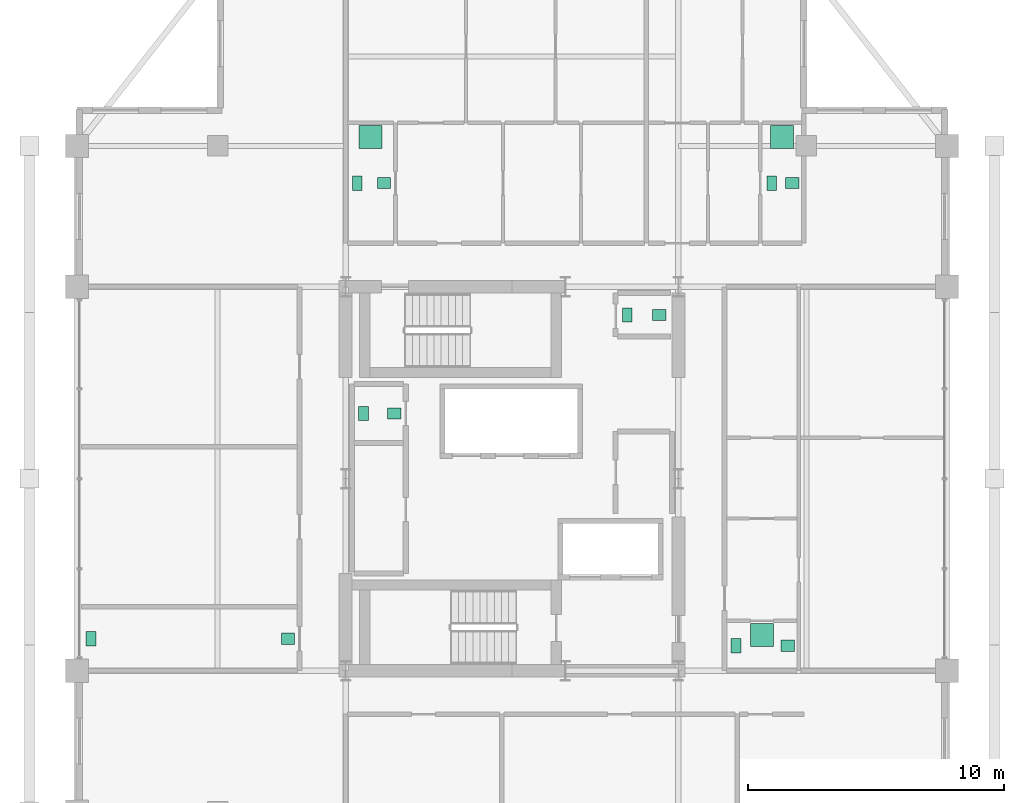
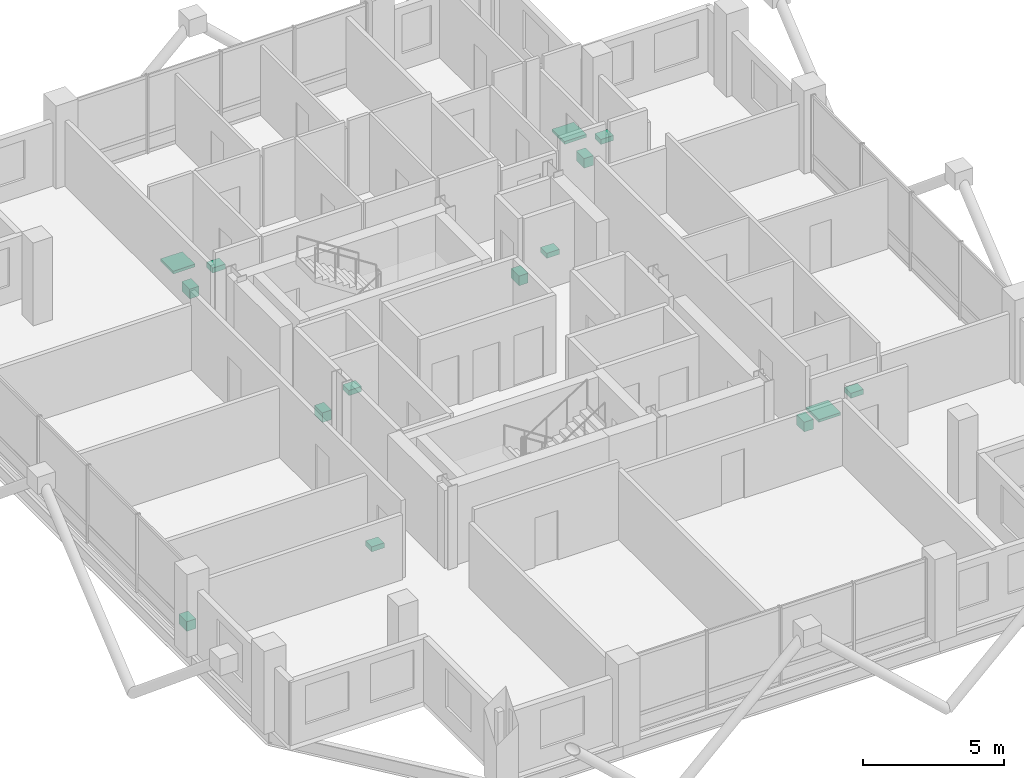
# One storey, part 23 of 23: 15 sanitary terminals.
"""IFC4 building model written with IfcOpenShell, lengths in metres."""

from ifc_helpers import new_model, si_unit, direction, frame, origin, origin_2d, place, context, subcontext, project, spatial, rectangle, extrude, material, type_object, element, save


model = new_model("IFC4")

# Units and contexts
model_context = context("Model", 3, precision=1e-05, world=origin(), true_north=direction((0.0, 1.0)))
body_context = subcontext(model_context, "Body", "Model", "MODEL_VIEW")
ifc_project = project(units=[si_unit("LENGTHUNIT", "METRE"), si_unit("AREAUNIT", "SQUARE_METRE"), si_unit("VOLUMEUNIT", "CUBIC_METRE"), si_unit("PLANEANGLEUNIT", "RADIAN"), si_unit("MASSUNIT", "GRAM", prefix="KILO")], contexts=[model_context])

# Site, building, storey
site_placement = place(None, origin())
site = spatial("IfcSite", under=ifc_project, at=site_placement, CompositionType="ELEMENT")
building_placement = place(site_placement, origin())
building = spatial("IfcBuilding", under=site, at=building_placement, Name="Barlavira Tower and Art Museum", CompositionType="ELEMENT")
storey_placement = place(building_placement, frame((0.0, 0.0, 279.89990234375)))
storey = spatial("IfcBuildingStorey", under=building, at=storey_placement, Name="L73", CompositionType="ELEMENT", Elevation=279.89990234375)

# Sanitary terminals
ifc_material = material(Name="Vitreous glazed ceramic", Category="ceramic")
sanitary_terminal_type_1 = type_object("IfcSanitaryTerminalType", Name="Countertop Ceramic Wash Hand Basin", PredefinedType="WASHHANDBASIN", material=ifc_material)
for number, where, z_axis, x_axis, name in (
    (1, (-4.60009765625, 2.550048828125, 0.740234375), (0.0, 0.0, 1.0), (1.0, 0.0, 0.0), "L73-C-REC1W Wash Basin"),
    (2, (5.75, 6.39990234375, 0.740234375), (0.0, 0.0, 1.0), (1.0, 0.0, 0.0), "L73-C-AWC4 Wash Basin"),
    (3, (-5.0, 11.550048828125, 0.740234375), (0.0, 0.0, 1.0), (1.0, 0.0, 0.0), "L73-N1-BTH1 Wash Basin"),
    (4, (10.949951171875, 11.550048828125, 0.740234375), (0.0, 0.0, 1.0), (1.0, 0.0, 0.0), "L73-N2-BTH1 Wash Basin"),
    (5, (-8.75, -6.25, 0.740234375), (0.0, 0.0, 1.0), (1.0, 0.0, 0.0), "L73-W-SWC Wash Basin"),
    (6, (10.77001953125, -6.52490234375, 0.740234375), (0.0, 0.0, 1.0), (1.0, 0.0, 0.0), "L73-E1-BTH1 Wash Basin"),
):
    element("IfcSanitaryTerminal", number, at=place(storey_placement, frame(where, z_axis=z_axis, x_axis=x_axis)), inside=storey, type_object=sanitary_terminal_type_1, Name=name, PredefinedType="WASHHANDBASIN", context=body_context, shape_type="SweptSolid", body=[
        extrude(rectangle(XDim=0.52001953125, YDim=0.43994140625, at=origin_2d()), origin(), (0.0, 0.0, 1.0), 0.219970703125),
    ])
sanitary_terminal_type_2 = type_object("IfcSanitaryTerminalType", Name="Walk-In Thermostatic Rain Shower Unit", PredefinedType="SHOWER", material=ifc_material)
for number, where, z_axis, x_axis, name in (
    (7, (-5.52490234375, 13.35009765625, 0.0), (0.0, 0.0, 1.0), (1.0, 0.0, 0.0), "L73-N1-BTH1 Rain Shower"),
    (8, (10.550048828125, 13.35009765625, 0.0), (0.0, 0.0, 1.0), (1.0, 0.0, 0.0), "L73-N2-BTH1 Rain Shower"),
    (9, (9.760009765625, -6.10009765625, 0.0), (0.0, 0.0, 1.0), (1.0, 0.0, 0.0), "L73-E1-BTH1 Rain Shower"),
):
    element("IfcSanitaryTerminal", number, at=place(storey_placement, frame(where, z_axis=z_axis, x_axis=x_axis)), inside=storey, type_object=sanitary_terminal_type_2, Name=name, PredefinedType="SHOWER", context=body_context, shape_type="SweptSolid", body=[
        extrude(rectangle(XDim=0.89990234375, YDim=0.89990234375, at=origin_2d()), origin(), (0.0, 0.0, 1.0), 0.1201171875),
    ])
sanitary_terminal_type_3 = type_object("IfcSanitaryTerminalType", Name="Wall-Hung Dual-Flush Vitreous WC Pan", PredefinedType="TOILETPAN", material=ifc_material)
for number, where, z_axis, x_axis, name in (
    (10, (-5.800048828125, 2.550048828125, 0.000244140625), (0.0, 0.0, 1.0), (1.0, 0.0, 0.0), "L73-C-REC1W WC Pan"),
    (11, (4.5, 6.39990234375, 0.000244140625), (0.0, 0.0, 1.0), (1.0, 0.0, 0.0), "L73-C-AWC4 WC Pan"),
    (12, (-6.050048828125, 11.550048828125, 0.000244140625), (0.0, 0.0, 1.0), (1.0, 0.0, 0.0), "L73-N1-BTH1 WC Pan"),
    (13, (10.14990234375, 11.550048828125, 0.000244140625), (0.0, 0.0, 1.0), (1.0, 0.0, 0.0), "L73-N2-BTH1 WC Pan"),
    (14, (-16.449951171875, -6.25, 0.000244140625), (0.0, 0.0, 1.0), (1.0, 0.0, 0.0), "L73-W-SWC WC Pan"),
    (15, (8.75, -6.52490234375, 0.000244140625), (0.0, 0.0, 1.0), (1.0, 0.0, 0.0), "L73-E1-BTH1 WC Pan"),
):
    element("IfcSanitaryTerminal", number, at=place(storey_placement, frame(where, z_axis=z_axis, x_axis=x_axis)), inside=storey, type_object=sanitary_terminal_type_3, Name=name, PredefinedType="TOILETPAN", context=body_context, shape_type="SweptSolid", body=[
        extrude(rectangle(XDim=0.3798828125, YDim=0.56005859375, at=origin_2d()), origin(), (0.0, 0.0, 1.0), 0.419921875),
    ])

save(model, "model.ifc")
